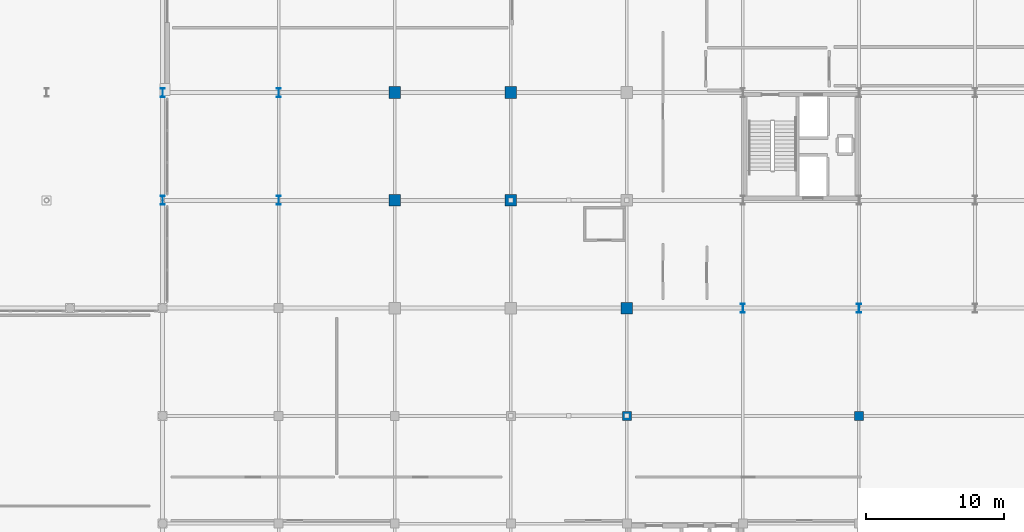
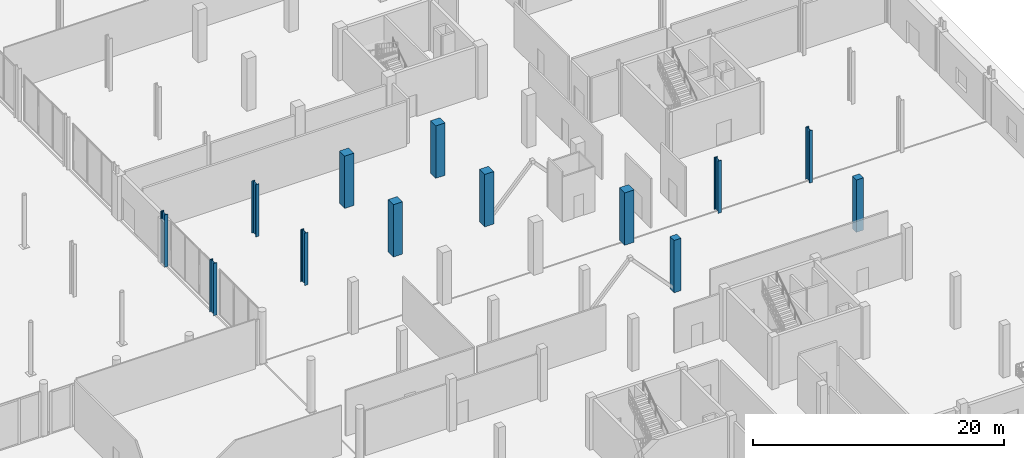
# One storey, part 13 of 80: 13 columns.
"""IFC4 building model written with IfcOpenShell, lengths in metres."""

from ifc_helpers import new_model, si_unit, direction, frame, origin, origin_2d, place, context, subcontext, project, spatial, rectangle, i_section, extrude, material, material_profile, profile_set, type_object, element, save


model = new_model("IFC4")

# Units and contexts
model_context = context("Model", 3, precision=1e-05, world=origin(), true_north=direction((0.0, 1.0)))
body_context = subcontext(model_context, "Body", "Model", "MODEL_VIEW")
ifc_project = project(units=[si_unit("LENGTHUNIT", "METRE"), si_unit("AREAUNIT", "SQUARE_METRE"), si_unit("VOLUMEUNIT", "CUBIC_METRE"), si_unit("PLANEANGLEUNIT", "RADIAN"), si_unit("MASSUNIT", "GRAM", prefix="KILO")], contexts=[model_context])

# Site, building, storey
site_placement = place(None, origin())
site = spatial("IfcSite", under=ifc_project, at=site_placement, CompositionType="ELEMENT")
building_placement = place(site_placement, origin())
building = spatial("IfcBuilding", under=site, at=building_placement, Name="Nabrawat Pavilion Hospital", CompositionType="ELEMENT")
storey_placement = place(building_placement, origin())
storey = spatial("IfcBuildingStorey", under=building, at=storey_placement, Name="L00", CompositionType="ELEMENT", Elevation=0.0)

# Columns
ifc_material_1 = material(Name="Steel S355", Category="steel")
ifc_material_profile_1 = material_profile(ifc_material_1, i_section(OverallWidth=0.300048828125, OverallDepth=0.64990234375, WebThickness=0.01611328125, FlangeThickness=0.031005859375, FilletRadius=0.027099609375, at=origin_2d()), Name="HEB 650")
ifc_profile_set_1 = profile_set([ifc_material_profile_1], Name="Steel S355")
column_type_1 = type_object("IfcColumnType", Name="Heavy Composite Steel Column HEB 650", PredefinedType="COLUMN", material=ifc_profile_set_1)
for number, where, z_axis, x_axis, name in (
    (1, (126.0, 46.800048828125, 0.0), (0.0, 0.0, 1.0), (1.0, 0.0, 0.0), "L00 Structural Column G-16A-G"),
    (2, (126.0, 54.60009765625, 0.0), (0.0, 0.0, 1.0), (1.0, 0.0, 0.0), "L00 Structural Column G-16A-H"),
    (3, (134.39990234375, 46.800048828125, 0.0), (0.0, 0.0, 1.0), (1.0, 0.0, 0.0), "L00 Structural Column G-17-G"),
    (4, (134.39990234375, 54.60009765625, 0.0), (0.0, 0.0, 1.0), (1.0, 0.0, 0.0), "L00 Structural Column G-17-H"),
    (5, (168.0, 39.0, 0.0), (0.0, 0.0, 1.0), (1.0, 0.0, 0.0), "L00 Structural Column G-21-F1"),
    (6, (176.39990234375, 39.0, 0.0), (0.0, 0.0, 1.0), (1.0, 0.0, 0.0), "L00 Structural Column G-22-F1"),
):
    element("IfcColumn", number, at=place(storey_placement, frame(where, z_axis=z_axis, x_axis=x_axis)), inside=storey, type_object=column_type_1, Name=name, PredefinedType="COLUMN", context=body_context, shape_type="SweptSolid", body=[
        extrude(i_section(OverallWidth=0.300048828125, OverallDepth=0.64990234375, WebThickness=0.01611328125, FlangeThickness=0.031005859375, FilletRadius=0.027099609375, at=origin_2d()), origin(), (0.0, 0.0, 1.0), 5.10009765625),
    ])
ifc_material_2 = material(Name="Concrete C40/50", Category="concrete")
ifc_material_profile_2 = material_profile(ifc_material_2, rectangle(XDim=0.85009765625, YDim=0.85009765625, at=origin_2d()), Name="RC 850x850")
ifc_profile_set_2 = profile_set([ifc_material_profile_2], Name="Concrete C40/50")
column_type_2 = type_object("IfcColumnType", Name="Lower Ward RC Column 850x850", PredefinedType="COLUMN", material=ifc_profile_set_2)
for number, where, z_axis, x_axis, name in (
    (7, (142.800048828125, 46.800048828125, 0.0), (0.0, 0.0, 1.0), (1.0, 0.0, 0.0), "L00 Structural Column G-18-G"),
    (8, (142.800048828125, 54.60009765625, 0.0), (0.0, 0.0, 1.0), (1.0, 0.0, 0.0), "L00 Structural Column G-18-H"),
    (9, (151.199951171875, 46.800048828125, 0.0), (0.0, 0.0, 1.0), (1.0, 0.0, 0.0), "L00 Structural Column G-19-G"),
    (10, (151.199951171875, 54.60009765625, 0.0), (0.0, 0.0, 1.0), (1.0, 0.0, 0.0), "L00 Structural Column G-19-H"),
    (11, (159.60009765625, 39.0, 0.0), (0.0, 0.0, 1.0), (1.0, 0.0, 0.0), "L00 Structural Column G-20-F1"),
):
    element("IfcColumn", number, at=place(storey_placement, frame(where, z_axis=z_axis, x_axis=x_axis)), inside=storey, type_object=column_type_2, Name=name, PredefinedType="COLUMN", context=body_context, shape_type="SweptSolid", body=[
        extrude(rectangle(XDim=0.85009765625, YDim=0.85009765625, at=origin_2d()), origin(), (0.0, 0.0, 1.0), 5.10009765625),
    ])
ifc_material_profile_3 = material_profile(ifc_material_2, rectangle(XDim=0.64990234375, YDim=0.64990234375, at=origin_2d()), Name="RC 650x650")
ifc_profile_set_3 = profile_set([ifc_material_profile_3], Name="Concrete C40/50")
column_type_3 = type_object("IfcColumnType", Name="Outpatient RC Column 650x650", PredefinedType="COLUMN", material=ifc_profile_set_3)
for number, where, z_axis, x_axis, name in (
    (12, (159.60009765625, 31.199951171875, 0.0), (0.0, 0.0, 1.0), (1.0, 0.0, 0.0), "L00 Structural Column G-20-E"),
    (13, (176.39990234375, 31.199951171875, 0.0), (0.0, 0.0, 1.0), (1.0, 0.0, 0.0), "L00 Structural Column G-22-E"),
):
    element("IfcColumn", number, at=place(storey_placement, frame(where, z_axis=z_axis, x_axis=x_axis)), inside=storey, type_object=column_type_3, Name=name, PredefinedType="COLUMN", context=body_context, shape_type="SweptSolid", body=[
        extrude(rectangle(XDim=0.64990234375, YDim=0.64990234375, at=origin_2d()), origin(), (0.0, 0.0, 1.0), 5.10009765625),
    ])

save(model, "model.ifc")
